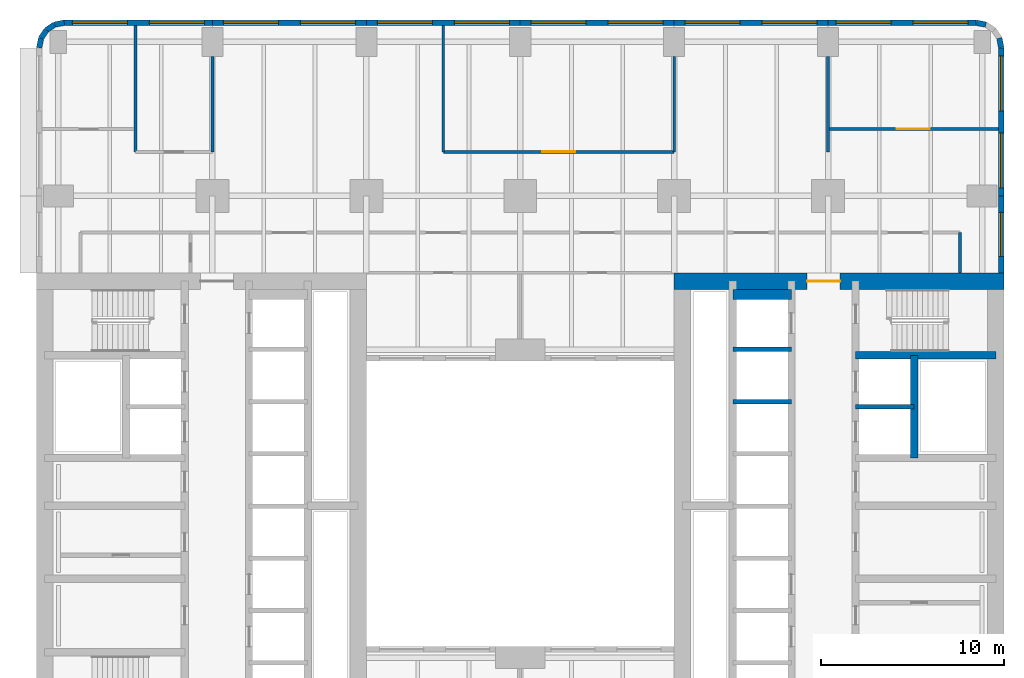
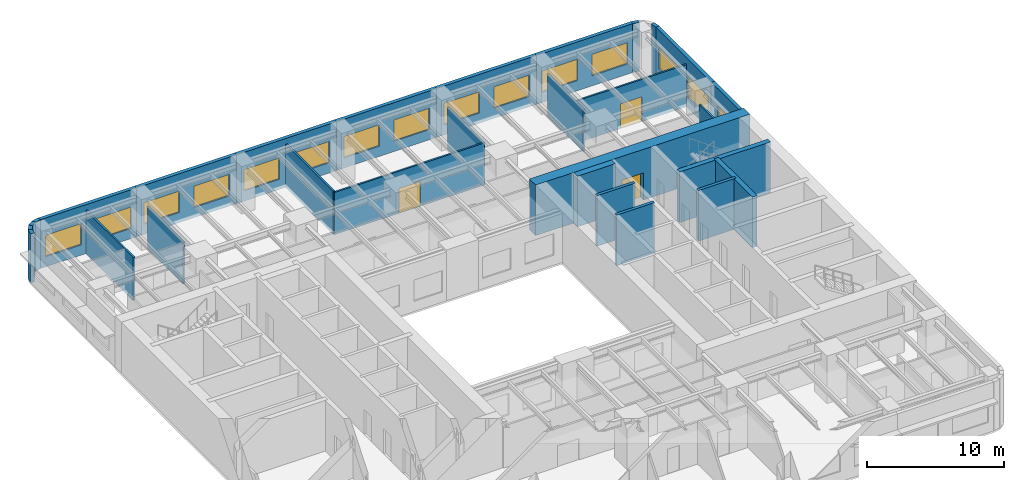
# One storey, part 7 of 14: 29 walls, 15 windows, 3 doors, 18 openings.
"""IFC4 building model written with IfcOpenShell, lengths in metres."""

from ifc_helpers import new_model, si_unit, direction, frame, frame_2d, origin, place, context, subcontext, project, spatial, rectangle, extrude, material, layer, layer_set, type_object, element, fill, save


model = new_model("IFC4")

# Units and contexts
model_context = context("Model", 3, precision=1e-05, world=origin(), true_north=direction((0.0, 1.0)))
body_context = subcontext(model_context, "Body", "Model", "MODEL_VIEW")
ifc_project = project(units=[si_unit("LENGTHUNIT", "METRE"), si_unit("AREAUNIT", "SQUARE_METRE"), si_unit("VOLUMEUNIT", "CUBIC_METRE"), si_unit("PLANEANGLEUNIT", "RADIAN"), si_unit("MASSUNIT", "GRAM", prefix="KILO")], contexts=[model_context])

# Site, building, storey
site_placement = place(None, origin())
site = spatial("IfcSite", under=ifc_project, at=site_placement, CompositionType="ELEMENT")
building_placement = place(site_placement, origin())
building = spatial("IfcBuilding", under=site, at=building_placement, Name="Claustro Exchange Tower", CompositionType="ELEMENT")
storey_placement = place(building_placement, frame((0.0, 0.0, 59.39990234375)))
storey = spatial("IfcBuildingStorey", under=building, at=storey_placement, Name="L13", CompositionType="ELEMENT", Elevation=59.39990234375)

# Walls
ifc_material_1 = material(Name="Gypsum board on steel studs", Category="steel")
ifc_layer_1 = layer(ifc_material_1, 0.14990234375)
ifc_layer_set_1 = layer_set([ifc_layer_1], Name="Gypsum board on steel studs")
wall_type_1 = type_object("IfcWallType", Name="P1 150 plasterboard partition", PredefinedType="PARTITIONING", material=ifc_layer_set_1)
wall_1_placement = place(storey_placement, frame((4.199951171875, 44.39990234375, 0.0), z_axis=(0.0, 0.0, 1.0), x_axis=(0.0, 1.0, 0.0)))
element("IfcWall", 1, at=wall_1_placement, inside=storey, type_object=wall_type_1, Name="Partition P1 L13", PredefinedType="PARTITIONING", context=body_context, shape_type="SweptSolid", body=[
    extrude(rectangle(XDim=6.902099609375, YDim=0.14990234375, at=frame_2d((3.451171875, 0.0))), origin(), (0.0, 0.0, 1.0), 3.840087890625),
])
wall_2_placement = place(storey_placement, frame((8.39990234375, 44.39990234375, 0.0), z_axis=(0.0, 0.0, 1.0), x_axis=(0.0, 1.0, 0.0)))
element("IfcWall", 2, at=wall_2_placement, inside=storey, type_object=wall_type_1, Name="Partition P1 L13", PredefinedType="PARTITIONING", context=body_context, shape_type="SweptSolid", body=[
    extrude(rectangle(XDim=5.201171875, YDim=0.14990234375, at=frame_2d((2.6005859375, 0.0))), origin(), (0.0, 0.0, 1.0), 3.739990234375),
])

# Wall, opening, door
wall_3_placement = place(storey_placement, frame((21.0, 44.39990234375, 0.0), z_axis=(0.0, 0.0, 1.0), x_axis=(1.0, 0.0, 0.0)))
wall_3 = element("IfcWall", 3, at=wall_3_placement, inside=storey, type_object=wall_type_1, Name="Partition P1 L13", PredefinedType="PARTITIONING", context=body_context, shape_type="SweptSolid", body=[
    extrude(rectangle(XDim=12.60009765625, YDim=0.14990234375, at=frame_2d((6.300048828125, 0.0))), origin(), (0.0, 0.0, 1.0), 3.739990234375),
])
opening_1_placement = place(wall_3_placement, frame((5.39990234375, 0.0, 0.0)))
opening_1 = element("IfcOpeningElement", 4, at=opening_1_placement, cuts=wall_3, Name="Opening D2", PredefinedType="OPENING", context=body_context, shape_type="SweptSolid", body=[
    extrude(rectangle(XDim=1.800048828125, YDim=2.199951171875, at=frame_2d((0.89990234375, 1.10009765625))), frame((0.0, 0.0849609375, 0.0), z_axis=(0.0, -1.0, 0.0), x_axis=(1.0, 0.0, 0.0)), (0.0, 0.0, 1.0), 0.169921875),
])
ifc_material_2 = material(Name="Timber door, oak veneer", Category="wood")
door_type_1 = type_object("IfcDoorType", Name="D2 1800 x 2200 double door", OperationType="DOUBLE_DOOR_SINGLE_SWING", PredefinedType="DOOR", material=ifc_material_2)
door_1_placement = place(opening_1_placement, frame((1.800048828125, 0.0, 0.0), z_axis=(0.0, 0.0, 1.0), x_axis=(-1.0, 0.0, 0.0)))
door_1 = element("IfcDoor", 5, at=door_1_placement, inside=storey, type_object=door_type_1, Name="Double door D2 L13", OperationType="DOUBLE_DOOR_SINGLE_SWING", OverallHeight=2.199951171875, OverallWidth=1.800048828125, PredefinedType="DOOR", context=body_context, shape_type="SweptSolid", body=[
    extrude(rectangle(XDim=1.800048828125, YDim=2.199951171875, at=frame_2d((0.89990234375, 1.10009765625))), frame((0.0, 0.02490234375, 0.0), z_axis=(0.0, -1.0, 0.0), x_axis=(1.0, 0.0, 0.0)), (0.0, 0.0, 1.0), 0.050048828125),
])
fill(opening_1, door_1)

# Walls
wall_4_placement = place(storey_placement, frame((21.0, 44.39990234375, 0.0), z_axis=(0.0, 0.0, 1.0), x_axis=(0.0, 1.0, 0.0)))
element("IfcWall", 6, at=wall_4_placement, inside=storey, type_object=wall_type_1, Name="Partition P1 L13", PredefinedType="PARTITIONING", context=body_context, shape_type="SweptSolid", body=[
    extrude(rectangle(XDim=6.902099609375, YDim=0.14990234375, at=frame_2d((3.451171875, 0.0))), origin(), (0.0, 0.0, 1.0), 3.840087890625),
])
wall_5_placement = place(storey_placement, frame((33.60009765625, 44.39990234375, 0.0), z_axis=(0.0, 0.0, 1.0), x_axis=(0.0, 1.0, 0.0)))
element("IfcWall", 7, at=wall_5_placement, inside=storey, type_object=wall_type_1, Name="Partition P1 L13", PredefinedType="PARTITIONING", context=body_context, shape_type="SweptSolid", body=[
    extrude(rectangle(XDim=5.201171875, YDim=0.14990234375, at=frame_2d((2.6005859375, 0.0))), origin(), (0.0, 0.0, 1.0), 3.739990234375),
])

# Wall, opening, door
wall_6_placement = place(storey_placement, frame((42.073974609375, 45.64990234375, 0.0), z_axis=(0.0, 0.0, 1.0), x_axis=(1.0, 0.0, 0.0)))
wall_6 = element("IfcWall", 8, at=wall_6_placement, inside=storey, type_object=wall_type_1, Name="Partition P1 L13", PredefinedType="PARTITIONING", context=body_context, shape_type="SweptSolid", body=[
    extrude(rectangle(XDim=9.22802734375, YDim=0.14990234375, at=frame_2d((4.614013671875, 0.0))), origin(), (0.0, 0.0, 1.0), 3.739990234375),
])
opening_2_placement = place(wall_6_placement, frame((3.676025390625, 0.0, 0.0)))
opening_2 = element("IfcOpeningElement", 9, at=opening_2_placement, cuts=wall_6, Name="Opening D2", PredefinedType="OPENING", context=body_context, shape_type="SweptSolid", body=[
    extrude(rectangle(XDim=1.800048828125, YDim=2.199951171875, at=frame_2d((0.89990234375, 1.10009765625))), frame((0.0, 0.0849609375, 0.0), z_axis=(0.0, -1.0, 0.0), x_axis=(1.0, 0.0, 0.0)), (0.0, 0.0, 1.0), 0.169921875),
])
door_2_placement = place(opening_2_placement, origin())
door_2 = element("IfcDoor", 10, at=door_2_placement, inside=storey, type_object=door_type_1, Name="Double door D2 L13", OperationType="DOUBLE_DOOR_SINGLE_SWING", OverallHeight=2.199951171875, OverallWidth=1.800048828125, PredefinedType="DOOR", context=body_context, shape_type="SweptSolid", body=[
    extrude(rectangle(XDim=1.800048828125, YDim=2.199951171875, at=frame_2d((0.89990234375, 1.10009765625))), frame((0.0, 0.02490234375, 0.0), z_axis=(0.0, -1.0, 0.0), x_axis=(1.0, 0.0, 0.0)), (0.0, 0.0, 1.0), 0.050048828125),
])
fill(opening_2, door_2)

# Walls
wall_7_placement = place(storey_placement, frame((42.0, 44.39990234375, 0.0), z_axis=(0.0, 0.0, 1.0), x_axis=(0.0, 1.0, 0.0)))
element("IfcWall", 11, at=wall_7_placement, inside=storey, type_object=wall_type_1, Name="Partition P1 L13", PredefinedType="PARTITIONING", context=body_context, shape_type="SweptSolid", body=[
    extrude(rectangle(XDim=5.201171875, YDim=0.14990234375, at=frame_2d((2.6005859375, 0.0))), origin(), (0.0, 0.0, 1.0), 3.739990234375),
])
wall_8_placement = place(storey_placement, frame((49.199951171875, 37.800048828125, 0.0), z_axis=(0.0, 0.0, 1.0), x_axis=(0.0, 1.0, 0.0)))
element("IfcWall", 12, at=wall_8_placement, inside=storey, type_object=wall_type_1, Name="Partition P1 L13", PredefinedType="PARTITIONING", context=body_context, shape_type="SweptSolid", body=[
    extrude(rectangle(XDim=2.199951171875, YDim=0.14990234375, at=frame_2d((1.10009765625, 0.0))), origin(), (0.0, 0.0, 1.0), 4.340087890625),
])
ifc_material_3 = material(Name="Concrete HA-40 (C40/50), precast, white cement, acid-etched", Category="concrete")
ifc_layer_2 = layer(ifc_material_3, 0.300048828125)
ifc_layer_set_2 = layer_set([ifc_layer_2], Name="Concrete HA-40 (C40/50), precast, white cement, acid-etched")
wall_type_2 = type_object("IfcWallType", Name="PC1 300 precast concrete pier panel", PredefinedType="SOLIDWALL", material=ifc_layer_set_2)
wall_9_placement = place(storey_placement, frame((-1.050048828125, 50.085205078125, 0.0), z_axis=(0.0, 0.0, 1.0), x_axis=(0.195073962632, 0.980788534345, 0.0)))
element("IfcWall", 13, at=wall_9_placement, inside=storey, type_object=wall_type_2, Name="Precast pier panel PC1 L13", PredefinedType="SOLIDWALL", context=body_context, shape_type="SweptSolid", body=[
    extrude(rectangle(XDim=0.540771484375, YDim=0.300048828125, at=frame_2d((0.2705078125, 0.0))), origin(), (0.0, 0.0, 1.0), 4.340087890625),
])
for number, where, z_axis, x_axis, name in (
    (14, (-0.944580078125, 50.615478515625, 0.0), (0.0, 0.0, 1.0), (0.555557463938, 0.831478144188, 0.0), "Precast pier panel PC1 L13"),
    (15, (-0.652587890625, 51.052490234375, 0.0), (0.0, 0.0, 1.0), (0.831478144188, 0.555557463938, 0.0), "Precast pier panel PC1 L13"),
):
    element("IfcWall", number, at=place(storey_placement, frame(where, z_axis=z_axis, x_axis=x_axis)), inside=storey, type_object=wall_type_2, Name=name, PredefinedType="SOLIDWALL", context=body_context, shape_type="SweptSolid", body=[
        extrude(rectangle(XDim=0.525634765625, YDim=0.300048828125, at=frame_2d((0.2626953125, 0.0))), origin(), (0.0, 0.0, 1.0), 4.340087890625),
    ])
wall_10_placement = place(storey_placement, frame((-0.215576171875, 51.344482421875, 0.0), z_axis=(0.0, 0.0, 1.0), x_axis=(0.980788534345, 0.195073962632, 0.0)))
element("IfcWall", 16, at=wall_10_placement, inside=storey, type_object=wall_type_2, Name="Precast pier panel PC1 L13", PredefinedType="SOLIDWALL", context=body_context, shape_type="SweptSolid", body=[
    extrude(rectangle(XDim=0.540771484375, YDim=0.300048828125, at=frame_2d((0.2705078125, 0.0))), origin(), (0.0, 0.0, 1.0), 4.340087890625),
])

# Wall, openings, windows
wall_11_placement = place(storey_placement, frame((0.314697265625, 51.449951171875, 0.0), z_axis=(0.0, 0.0, 1.0), x_axis=(1.0, 0.0, 0.0)))
wall_11 = element("IfcWall", 17, at=wall_11_placement, inside=storey, type_object=wall_type_2, Name="Precast pier panel PC1 L13", PredefinedType="SOLIDWALL", context=body_context, shape_type="SweptSolid", body=[
    extrude(rectangle(XDim=8.085205078125, YDim=0.300048828125, at=frame_2d((4.04248046875, 0.0))), origin(), (0.0, 0.0, 1.0), 4.340087890625),
])
opening_3_placement = place(wall_11_placement, frame((0.442626953125, 0.0, 0.89990234375)))
opening_3 = element("IfcOpeningElement", 18, at=opening_3_placement, cuts=wall_11, Name="Opening W1", PredefinedType="OPENING", context=body_context, shape_type="SweptSolid", body=[
    extrude(rectangle(XDim=3.0, YDim=1.89990234375, at=frame_2d((1.5, 0.949951171875))), frame((0.0, 0.159912109375, 0.0), z_axis=(0.0, -1.0, 0.0), x_axis=(1.0, 0.0, 0.0)), (0.0, 0.0, 1.0), 0.320068359375),
])
opening_4_placement = place(wall_11_placement, frame((4.642578125, 0.0, 0.89990234375)))
opening_4 = element("IfcOpeningElement", 19, at=opening_4_placement, cuts=wall_11, Name="Opening W1", PredefinedType="OPENING", context=body_context, shape_type="SweptSolid", body=[
    extrude(rectangle(XDim=3.0, YDim=1.89990234375, at=frame_2d((1.5, 0.949951171875))), frame((0.0, 0.159912109375, 0.0), z_axis=(0.0, -1.0, 0.0), x_axis=(1.0, 0.0, 0.0)), (0.0, 0.0, 1.0), 0.320068359375),
])
ifc_material_4 = material(Name="Aluminium frame, clear double glazing", Category="aluminium")
window_type_1 = type_object("IfcWindowType", Name="W1 3000 x 1900 window", PartitioningType="SINGLE_PANEL", PredefinedType="WINDOW", material=ifc_material_4)
window_1_placement = place(opening_3_placement, origin())
window_1 = element("IfcWindow", 20, at=window_1_placement, inside=storey, type_object=window_type_1, Name="Window W1 L13", OverallHeight=1.89990234375, OverallWidth=3.0, PartitioningType="SINGLE_PANEL", PredefinedType="WINDOW", context=body_context, shape_type="SweptSolid", body=[
    extrude(rectangle(XDim=3.0, YDim=1.89990234375, at=frame_2d((1.5, 0.949951171875))), frame((0.0, 0.030029296875, 0.0), z_axis=(0.0, -1.0, 0.0), x_axis=(1.0, 0.0, 0.0)), (0.0, 0.0, 1.0), 0.06005859375),
])
fill(opening_3, window_1)
window_2_placement = place(opening_4_placement, origin())
window_2 = element("IfcWindow", 21, at=window_2_placement, inside=storey, type_object=window_type_1, Name="Window W1 L13", OverallHeight=1.89990234375, OverallWidth=3.0, PartitioningType="SINGLE_PANEL", PredefinedType="WINDOW", context=body_context, shape_type="SweptSolid", body=[
    extrude(rectangle(XDim=3.0, YDim=1.89990234375, at=frame_2d((1.5, 0.949951171875))), frame((0.0, 0.030029296875, 0.0), z_axis=(0.0, -1.0, 0.0), x_axis=(1.0, 0.0, 0.0)), (0.0, 0.0, 1.0), 0.06005859375),
])
fill(opening_4, window_2)

wall_12_placement = place(storey_placement, frame((8.39990234375, 51.449951171875, 0.0), z_axis=(0.0, 0.0, 1.0), x_axis=(1.0, 0.0, 0.0)))
wall_12 = element("IfcWall", 22, at=wall_12_placement, inside=storey, type_object=wall_type_2, Name="Precast pier panel PC1 L13", PredefinedType="SOLIDWALL", context=body_context, shape_type="SweptSolid", body=[
    extrude(rectangle(XDim=8.400146484375, YDim=0.300048828125, at=frame_2d((4.2001953125, 0.0))), origin(), (0.0, 0.0, 1.0), 4.340087890625),
])
opening_5_placement = place(wall_12_placement, frame((0.60009765625, 0.0, 0.89990234375)))
opening_5 = element("IfcOpeningElement", 23, at=opening_5_placement, cuts=wall_12, Name="Opening W1", PredefinedType="OPENING", context=body_context, shape_type="SweptSolid", body=[
    extrude(rectangle(XDim=3.0, YDim=1.89990234375, at=frame_2d((1.5, 0.949951171875))), frame((0.0, 0.159912109375, 0.0), z_axis=(0.0, -1.0, 0.0), x_axis=(1.0, 0.0, 0.0)), (0.0, 0.0, 1.0), 0.320068359375),
])
opening_6_placement = place(wall_12_placement, frame((4.800048828125, 0.0, 0.89990234375)))
opening_6 = element("IfcOpeningElement", 24, at=opening_6_placement, cuts=wall_12, Name="Opening W1", PredefinedType="OPENING", context=body_context, shape_type="SweptSolid", body=[
    extrude(rectangle(XDim=3.0, YDim=1.89990234375, at=frame_2d((1.5, 0.949951171875))), frame((0.0, 0.159912109375, 0.0), z_axis=(0.0, -1.0, 0.0), x_axis=(1.0, 0.0, 0.0)), (0.0, 0.0, 1.0), 0.320068359375),
])
window_3_placement = place(opening_5_placement, origin())
window_3 = element("IfcWindow", 25, at=window_3_placement, inside=storey, type_object=window_type_1, Name="Window W1 L13", OverallHeight=1.89990234375, OverallWidth=3.0, PartitioningType="SINGLE_PANEL", PredefinedType="WINDOW", context=body_context, shape_type="SweptSolid", body=[
    extrude(rectangle(XDim=3.0, YDim=1.89990234375, at=frame_2d((1.5, 0.949951171875))), frame((0.0, 0.030029296875, 0.0), z_axis=(0.0, -1.0, 0.0), x_axis=(1.0, 0.0, 0.0)), (0.0, 0.0, 1.0), 0.06005859375),
])
fill(opening_5, window_3)
window_4_placement = place(opening_6_placement, origin())
window_4 = element("IfcWindow", 26, at=window_4_placement, inside=storey, type_object=window_type_1, Name="Window W1 L13", OverallHeight=1.89990234375, OverallWidth=3.0, PartitioningType="SINGLE_PANEL", PredefinedType="WINDOW", context=body_context, shape_type="SweptSolid", body=[
    extrude(rectangle(XDim=3.0, YDim=1.89990234375, at=frame_2d((1.5, 0.949951171875))), frame((0.0, 0.030029296875, 0.0), z_axis=(0.0, -1.0, 0.0), x_axis=(1.0, 0.0, 0.0)), (0.0, 0.0, 1.0), 0.06005859375),
])
fill(opening_6, window_4)

wall_13_placement = place(storey_placement, frame((16.800048828125, 51.449951171875, 0.0), z_axis=(0.0, 0.0, 1.0), x_axis=(1.0, 0.0, 0.0)))
wall_13 = element("IfcWall", 27, at=wall_13_placement, inside=storey, type_object=wall_type_2, Name="Precast pier panel PC1 L13", PredefinedType="SOLIDWALL", context=body_context, shape_type="SweptSolid", body=[
    extrude(rectangle(XDim=8.39990234375, YDim=0.300048828125, at=frame_2d((4.199951171875, 0.0))), origin(), (0.0, 0.0, 1.0), 4.340087890625),
])
opening_7_placement = place(wall_13_placement, frame((0.60009765625, 0.0, 0.89990234375)))
opening_7 = element("IfcOpeningElement", 28, at=opening_7_placement, cuts=wall_13, Name="Opening W1", PredefinedType="OPENING", context=body_context, shape_type="SweptSolid", body=[
    extrude(rectangle(XDim=3.0, YDim=1.89990234375, at=frame_2d((1.5, 0.949951171875))), frame((0.0, 0.159912109375, 0.0), z_axis=(0.0, -1.0, 0.0), x_axis=(1.0, 0.0, 0.0)), (0.0, 0.0, 1.0), 0.320068359375),
])
opening_8_placement = place(wall_13_placement, frame((4.800048828125, 0.0, 0.89990234375)))
opening_8 = element("IfcOpeningElement", 29, at=opening_8_placement, cuts=wall_13, Name="Opening W1", PredefinedType="OPENING", context=body_context, shape_type="SweptSolid", body=[
    extrude(rectangle(XDim=3.0, YDim=1.89990234375, at=frame_2d((1.5, 0.949951171875))), frame((0.0, 0.159912109375, 0.0), z_axis=(0.0, -1.0, 0.0), x_axis=(1.0, 0.0, 0.0)), (0.0, 0.0, 1.0), 0.320068359375),
])
window_5_placement = place(opening_7_placement, origin())
window_5 = element("IfcWindow", 30, at=window_5_placement, inside=storey, type_object=window_type_1, Name="Window W1 L13", OverallHeight=1.89990234375, OverallWidth=3.0, PartitioningType="SINGLE_PANEL", PredefinedType="WINDOW", context=body_context, shape_type="SweptSolid", body=[
    extrude(rectangle(XDim=3.0, YDim=1.89990234375, at=frame_2d((1.5, 0.949951171875))), frame((0.0, 0.030029296875, 0.0), z_axis=(0.0, -1.0, 0.0), x_axis=(1.0, 0.0, 0.0)), (0.0, 0.0, 1.0), 0.06005859375),
])
fill(opening_7, window_5)
window_6_placement = place(opening_8_placement, origin())
window_6 = element("IfcWindow", 31, at=window_6_placement, inside=storey, type_object=window_type_1, Name="Window W1 L13", OverallHeight=1.89990234375, OverallWidth=3.0, PartitioningType="SINGLE_PANEL", PredefinedType="WINDOW", context=body_context, shape_type="SweptSolid", body=[
    extrude(rectangle(XDim=3.0, YDim=1.89990234375, at=frame_2d((1.5, 0.949951171875))), frame((0.0, 0.030029296875, 0.0), z_axis=(0.0, -1.0, 0.0), x_axis=(1.0, 0.0, 0.0)), (0.0, 0.0, 1.0), 0.06005859375),
])
fill(opening_8, window_6)

wall_14_placement = place(storey_placement, frame((25.199951171875, 51.449951171875, 0.0), z_axis=(0.0, 0.0, 1.0), x_axis=(1.0, 0.0, 0.0)))
wall_14 = element("IfcWall", 32, at=wall_14_placement, inside=storey, type_object=wall_type_2, Name="Precast pier panel PC1 L13", PredefinedType="SOLIDWALL", context=body_context, shape_type="SweptSolid", body=[
    extrude(rectangle(XDim=8.400146484375, YDim=0.300048828125, at=frame_2d((4.2001953125, 0.0))), origin(), (0.0, 0.0, 1.0), 4.340087890625),
])
opening_9_placement = place(wall_14_placement, frame((0.60009765625, 0.0, 0.89990234375)))
opening_9 = element("IfcOpeningElement", 33, at=opening_9_placement, cuts=wall_14, Name="Opening W1", PredefinedType="OPENING", context=body_context, shape_type="SweptSolid", body=[
    extrude(rectangle(XDim=3.0, YDim=1.89990234375, at=frame_2d((1.5, 0.949951171875))), frame((0.0, 0.159912109375, 0.0), z_axis=(0.0, -1.0, 0.0), x_axis=(1.0, 0.0, 0.0)), (0.0, 0.0, 1.0), 0.320068359375),
])
opening_10_placement = place(wall_14_placement, frame((4.800048828125, 0.0, 0.89990234375)))
opening_10 = element("IfcOpeningElement", 34, at=opening_10_placement, cuts=wall_14, Name="Opening W1", PredefinedType="OPENING", context=body_context, shape_type="SweptSolid", body=[
    extrude(rectangle(XDim=3.0, YDim=1.89990234375, at=frame_2d((1.5, 0.949951171875))), frame((0.0, 0.159912109375, 0.0), z_axis=(0.0, -1.0, 0.0), x_axis=(1.0, 0.0, 0.0)), (0.0, 0.0, 1.0), 0.320068359375),
])
window_7_placement = place(opening_9_placement, origin())
window_7 = element("IfcWindow", 35, at=window_7_placement, inside=storey, type_object=window_type_1, Name="Window W1 L13", OverallHeight=1.89990234375, OverallWidth=3.0, PartitioningType="SINGLE_PANEL", PredefinedType="WINDOW", context=body_context, shape_type="SweptSolid", body=[
    extrude(rectangle(XDim=3.0, YDim=1.89990234375, at=frame_2d((1.5, 0.949951171875))), frame((0.0, 0.030029296875, 0.0), z_axis=(0.0, -1.0, 0.0), x_axis=(1.0, 0.0, 0.0)), (0.0, 0.0, 1.0), 0.06005859375),
])
fill(opening_9, window_7)
window_8_placement = place(opening_10_placement, origin())
window_8 = element("IfcWindow", 36, at=window_8_placement, inside=storey, type_object=window_type_1, Name="Window W1 L13", OverallHeight=1.89990234375, OverallWidth=3.0, PartitioningType="SINGLE_PANEL", PredefinedType="WINDOW", context=body_context, shape_type="SweptSolid", body=[
    extrude(rectangle(XDim=3.0, YDim=1.89990234375, at=frame_2d((1.5, 0.949951171875))), frame((0.0, 0.030029296875, 0.0), z_axis=(0.0, -1.0, 0.0), x_axis=(1.0, 0.0, 0.0)), (0.0, 0.0, 1.0), 0.06005859375),
])
fill(opening_10, window_8)

wall_15_placement = place(storey_placement, frame((33.60009765625, 51.449951171875, 0.0), z_axis=(0.0, 0.0, 1.0), x_axis=(1.0, 0.0, 0.0)))
wall_15 = element("IfcWall", 37, at=wall_15_placement, inside=storey, type_object=wall_type_2, Name="Precast pier panel PC1 L13", PredefinedType="SOLIDWALL", context=body_context, shape_type="SweptSolid", body=[
    extrude(rectangle(XDim=8.39990234375, YDim=0.300048828125, at=frame_2d((4.199951171875, 0.0))), origin(), (0.0, 0.0, 1.0), 4.340087890625),
])
opening_11_placement = place(wall_15_placement, frame((0.60009765625, 0.0, 0.89990234375)))
opening_11 = element("IfcOpeningElement", 38, at=opening_11_placement, cuts=wall_15, Name="Opening W1", PredefinedType="OPENING", context=body_context, shape_type="SweptSolid", body=[
    extrude(rectangle(XDim=3.0, YDim=1.89990234375, at=frame_2d((1.5, 0.949951171875))), frame((0.0, 0.159912109375, 0.0), z_axis=(0.0, -1.0, 0.0), x_axis=(1.0, 0.0, 0.0)), (0.0, 0.0, 1.0), 0.320068359375),
])
opening_12_placement = place(wall_15_placement, frame((4.800048828125, 0.0, 0.89990234375)))
opening_12 = element("IfcOpeningElement", 39, at=opening_12_placement, cuts=wall_15, Name="Opening W1", PredefinedType="OPENING", context=body_context, shape_type="SweptSolid", body=[
    extrude(rectangle(XDim=3.0, YDim=1.89990234375, at=frame_2d((1.5, 0.949951171875))), frame((0.0, 0.159912109375, 0.0), z_axis=(0.0, -1.0, 0.0), x_axis=(1.0, 0.0, 0.0)), (0.0, 0.0, 1.0), 0.320068359375),
])
window_9_placement = place(opening_11_placement, origin())
window_9 = element("IfcWindow", 40, at=window_9_placement, inside=storey, type_object=window_type_1, Name="Window W1 L13", OverallHeight=1.89990234375, OverallWidth=3.0, PartitioningType="SINGLE_PANEL", PredefinedType="WINDOW", context=body_context, shape_type="SweptSolid", body=[
    extrude(rectangle(XDim=3.0, YDim=1.89990234375, at=frame_2d((1.5, 0.949951171875))), frame((0.0, 0.030029296875, 0.0), z_axis=(0.0, -1.0, 0.0), x_axis=(1.0, 0.0, 0.0)), (0.0, 0.0, 1.0), 0.06005859375),
])
fill(opening_11, window_9)
window_10_placement = place(opening_12_placement, origin())
window_10 = element("IfcWindow", 41, at=window_10_placement, inside=storey, type_object=window_type_1, Name="Window W1 L13", OverallHeight=1.89990234375, OverallWidth=3.0, PartitioningType="SINGLE_PANEL", PredefinedType="WINDOW", context=body_context, shape_type="SweptSolid", body=[
    extrude(rectangle(XDim=3.0, YDim=1.89990234375, at=frame_2d((1.5, 0.949951171875))), frame((0.0, 0.030029296875, 0.0), z_axis=(0.0, -1.0, 0.0), x_axis=(1.0, 0.0, 0.0)), (0.0, 0.0, 1.0), 0.06005859375),
])
fill(opening_12, window_10)

wall_16_placement = place(storey_placement, frame((42.0, 51.449951171875, 0.0), z_axis=(0.0, 0.0, 1.0), x_axis=(1.0, 0.0, 0.0)))
wall_16 = element("IfcWall", 42, at=wall_16_placement, inside=storey, type_object=wall_type_2, Name="Precast pier panel PC1 L13", PredefinedType="SOLIDWALL", context=body_context, shape_type="SweptSolid", body=[
    extrude(rectangle(XDim=8.085205078125, YDim=0.300048828125, at=frame_2d((4.04248046875, 0.0))), origin(), (0.0, 0.0, 1.0), 4.340087890625),
])
opening_13_placement = place(wall_16_placement, frame((0.442626953125, 0.0, 0.89990234375)))
opening_13 = element("IfcOpeningElement", 43, at=opening_13_placement, cuts=wall_16, Name="Opening W1", PredefinedType="OPENING", context=body_context, shape_type="SweptSolid", body=[
    extrude(rectangle(XDim=3.0, YDim=1.89990234375, at=frame_2d((1.5, 0.949951171875))), frame((0.0, 0.159912109375, 0.0), z_axis=(0.0, -1.0, 0.0), x_axis=(1.0, 0.0, 0.0)), (0.0, 0.0, 1.0), 0.320068359375),
])
opening_14_placement = place(wall_16_placement, frame((4.642578125, 0.0, 0.89990234375)))
opening_14 = element("IfcOpeningElement", 44, at=opening_14_placement, cuts=wall_16, Name="Opening W1", PredefinedType="OPENING", context=body_context, shape_type="SweptSolid", body=[
    extrude(rectangle(XDim=3.0, YDim=1.89990234375, at=frame_2d((1.5, 0.949951171875))), frame((0.0, 0.159912109375, 0.0), z_axis=(0.0, -1.0, 0.0), x_axis=(1.0, 0.0, 0.0)), (0.0, 0.0, 1.0), 0.320068359375),
])
window_11_placement = place(opening_13_placement, origin())
window_11 = element("IfcWindow", 45, at=window_11_placement, inside=storey, type_object=window_type_1, Name="Window W1 L13", OverallHeight=1.89990234375, OverallWidth=3.0, PartitioningType="SINGLE_PANEL", PredefinedType="WINDOW", context=body_context, shape_type="SweptSolid", body=[
    extrude(rectangle(XDim=3.0, YDim=1.89990234375, at=frame_2d((1.5, 0.949951171875))), frame((0.0, 0.030029296875, 0.0), z_axis=(0.0, -1.0, 0.0), x_axis=(1.0, 0.0, 0.0)), (0.0, 0.0, 1.0), 0.06005859375),
])
fill(opening_13, window_11)
window_12_placement = place(opening_14_placement, origin())
window_12 = element("IfcWindow", 46, at=window_12_placement, inside=storey, type_object=window_type_1, Name="Window W1 L13", OverallHeight=1.89990234375, OverallWidth=3.0, PartitioningType="SINGLE_PANEL", PredefinedType="WINDOW", context=body_context, shape_type="SweptSolid", body=[
    extrude(rectangle(XDim=3.0, YDim=1.89990234375, at=frame_2d((1.5, 0.949951171875))), frame((0.0, 0.030029296875, 0.0), z_axis=(0.0, -1.0, 0.0), x_axis=(1.0, 0.0, 0.0)), (0.0, 0.0, 1.0), 0.06005859375),
])
fill(opening_14, window_12)

# Walls
for number, where, z_axis, x_axis, name in (
    (47, (50.085205078125, 51.449951171875, 0.0), (0.0, 0.0, 1.0), (0.980788534345, -0.195073962632, 0.0), "Precast pier panel PC1 L13"),
    (48, (51.344482421875, 50.615478515625, 0.0), (0.0, 0.0, 1.0), (0.195073962632, -0.980788534345, 0.0), "Precast pier panel PC1 L13"),
):
    element("IfcWall", number, at=place(storey_placement, frame(where, z_axis=z_axis, x_axis=x_axis)), inside=storey, type_object=wall_type_2, Name=name, PredefinedType="SOLIDWALL", context=body_context, shape_type="SweptSolid", body=[
        extrude(rectangle(XDim=0.540771484375, YDim=0.300048828125, at=frame_2d((0.2705078125, 0.0))), origin(), (0.0, 0.0, 1.0), 4.340087890625),
    ])

# Wall, openings, windows
wall_17_placement = place(storey_placement, frame((51.449951171875, 50.085205078125, 0.0), z_axis=(0.0, 0.0, 1.0), x_axis=(0.0, -1.0, 0.0)))
wall_17 = element("IfcWall", 49, at=wall_17_placement, inside=storey, type_object=wall_type_2, Name="Precast pier panel PC1 L13", PredefinedType="SOLIDWALL", context=body_context, shape_type="SweptSolid", body=[
    extrude(rectangle(XDim=8.085205078125, YDim=0.300048828125, at=frame_2d((4.04248046875, 0.0))), origin(), (0.0, 0.0, 1.0), 4.340087890625),
])
opening_15_placement = place(wall_17_placement, frame((0.442626953125, 0.0, 0.89990234375)))
opening_15 = element("IfcOpeningElement", 50, at=opening_15_placement, cuts=wall_17, Name="Opening W1", PredefinedType="OPENING", context=body_context, shape_type="SweptSolid", body=[
    extrude(rectangle(XDim=3.0, YDim=1.89990234375, at=frame_2d((1.5, 0.949951171875))), frame((0.0, 0.159912109375, 0.0), z_axis=(0.0, -1.0, 0.0), x_axis=(1.0, 0.0, 0.0)), (0.0, 0.0, 1.0), 0.320068359375),
])
opening_16_placement = place(wall_17_placement, frame((4.642578125, 0.0, 0.89990234375)))
opening_16 = element("IfcOpeningElement", 51, at=opening_16_placement, cuts=wall_17, Name="Opening W1", PredefinedType="OPENING", context=body_context, shape_type="SweptSolid", body=[
    extrude(rectangle(XDim=3.0, YDim=1.89990234375, at=frame_2d((1.5, 0.949951171875))), frame((0.0, 0.159912109375, 0.0), z_axis=(0.0, -1.0, 0.0), x_axis=(1.0, 0.0, 0.0)), (0.0, 0.0, 1.0), 0.320068359375),
])
window_13_placement = place(opening_15_placement, origin())
window_13 = element("IfcWindow", 52, at=window_13_placement, inside=storey, type_object=window_type_1, Name="Window W1 L13", OverallHeight=1.89990234375, OverallWidth=3.0, PartitioningType="SINGLE_PANEL", PredefinedType="WINDOW", context=body_context, shape_type="SweptSolid", body=[
    extrude(rectangle(XDim=3.0, YDim=1.89990234375, at=frame_2d((1.5, 0.949951171875))), frame((0.0, 0.030029296875, 0.0), z_axis=(0.0, -1.0, 0.0), x_axis=(1.0, 0.0, 0.0)), (0.0, 0.0, 1.0), 0.06005859375),
])
fill(opening_15, window_13)
window_14_placement = place(opening_16_placement, origin())
window_14 = element("IfcWindow", 53, at=window_14_placement, inside=storey, type_object=window_type_1, Name="Window W1 L13", OverallHeight=1.89990234375, OverallWidth=3.0, PartitioningType="SINGLE_PANEL", PredefinedType="WINDOW", context=body_context, shape_type="SweptSolid", body=[
    extrude(rectangle(XDim=3.0, YDim=1.89990234375, at=frame_2d((1.5, 0.949951171875))), frame((0.0, 0.030029296875, 0.0), z_axis=(0.0, -1.0, 0.0), x_axis=(1.0, 0.0, 0.0)), (0.0, 0.0, 1.0), 0.06005859375),
])
fill(opening_16, window_14)

# Wall, opening, window
wall_18_placement = place(storey_placement, frame((51.449951171875, 42.0, 0.0), z_axis=(0.0, 0.0, 1.0), x_axis=(0.0, -1.0, 0.0)))
wall_18 = element("IfcWall", 54, at=wall_18_placement, inside=storey, type_object=wall_type_2, Name="Precast pier panel PC1 L13", PredefinedType="SOLIDWALL", context=body_context, shape_type="SweptSolid", body=[
    extrude(rectangle(XDim=4.199951171875, YDim=0.300048828125, at=frame_2d((2.10009765625, 0.0))), origin(), (0.0, 0.0, 1.0), 4.340087890625),
])
opening_17_placement = place(wall_18_placement, frame((0.89990234375, 0.0, 0.89990234375)))
opening_17 = element("IfcOpeningElement", 55, at=opening_17_placement, cuts=wall_18, Name="Opening W2", PredefinedType="OPENING", context=body_context, shape_type="SweptSolid", body=[
    extrude(rectangle(XDim=2.39990234375, YDim=1.89990234375, at=frame_2d((1.199951171875, 0.949951171875))), frame((0.0, 0.159912109375, 0.0), z_axis=(0.0, -1.0, 0.0), x_axis=(1.0, 0.0, 0.0)), (0.0, 0.0, 1.0), 0.320068359375),
])
ifc_material_5 = material(Name="Aluminium frame, clear double glazing", Category="aluminium")
window_type_2 = type_object("IfcWindowType", Name="W2 2400 x 1900 window", PartitioningType="SINGLE_PANEL", PredefinedType="WINDOW", material=ifc_material_5)
window_15_placement = place(opening_17_placement, origin())
window_15 = element("IfcWindow", 56, at=window_15_placement, inside=storey, type_object=window_type_2, Name="Window W2 L13", OverallHeight=1.89990234375, OverallWidth=2.39990234375, PartitioningType="SINGLE_PANEL", PredefinedType="WINDOW", context=body_context, shape_type="SweptSolid", body=[
    extrude(rectangle(XDim=2.39990234375, YDim=1.89990234375, at=frame_2d((1.199951171875, 0.949951171875))), frame((0.0, 0.030029296875, 0.0), z_axis=(0.0, -1.0, 0.0), x_axis=(1.0, 0.0, 0.0)), (0.0, 0.0, 1.0), 0.06005859375),
])
fill(opening_17, window_15)

# Wall, opening, door
ifc_material_6 = material(Name="Concrete HA-70 (C70/85)", Category="concrete")
ifc_layer_3 = layer(ifc_material_6, 0.89990234375)
ifc_layer_set_3 = layer_set([ifc_layer_3], Name="Concrete HA-70 (C70/85)")
wall_type_3 = type_object("IfcWallType", Name="SW1 900 core shear wall", PredefinedType="SHEAR", material=ifc_layer_set_3)
wall_19_placement = place(storey_placement, frame((33.60009765625, 37.35009765625, 0.0), z_axis=(0.0, 0.0, 1.0), x_axis=(1.0, 0.0, 0.0)))
wall_19 = element("IfcWall", 57, at=wall_19_placement, inside=storey, type_object=wall_type_3, Name="Core wall SW1 E core N face L13", PredefinedType="SHEAR", context=body_context, shape_type="SweptSolid", body=[
    extrude(rectangle(XDim=18.0, YDim=0.89990234375, at=frame_2d((9.0, 0.0))), origin(), (0.0, 0.0, 1.0), 4.5),
])
opening_18_placement = place(wall_19_placement, frame((7.25, 0.0, 0.0)))
opening_18 = element("IfcOpeningElement", 58, at=opening_18_placement, cuts=wall_19, Name="Opening D3", PredefinedType="OPENING", context=body_context, shape_type="SweptSolid", body=[
    extrude(rectangle(XDim=1.800048828125, YDim=2.39990234375, at=frame_2d((0.89990234375, 1.199951171875))), frame((0.0, 0.4599609375, 0.0), z_axis=(0.0, -1.0, 0.0), x_axis=(1.0, 0.0, 0.0)), (0.0, 0.0, 1.0), 0.919921875),
])
ifc_material_7 = material(Name="Steel fire door, painted", Category="steel")
door_type_2 = type_object("IfcDoorType", Name="D3 1800 x 2400 fire-rated lobby double door", OperationType="DOUBLE_DOOR_SINGLE_SWING", PredefinedType="DOOR", material=ifc_material_7)
door_3_placement = place(opening_18_placement, frame((1.800048828125, 0.0, 0.0), z_axis=(0.0, 0.0, 1.0), x_axis=(-1.0, 0.0, 0.0)))
door_3 = element("IfcDoor", 59, at=door_3_placement, inside=storey, type_object=door_type_2, Name="Lift lobby door D3 L13", OperationType="DOUBLE_DOOR_SINGLE_SWING", OverallHeight=2.39990234375, OverallWidth=1.800048828125, PredefinedType="DOOR", context=body_context, shape_type="SweptSolid", body=[
    extrude(rectangle(XDim=1.800048828125, YDim=2.39990234375, at=frame_2d((0.89990234375, 1.199951171875))), frame((0.0, 0.02490234375, 0.0), z_axis=(0.0, -1.0, 0.0), x_axis=(1.0, 0.0, 0.0)), (0.0, 0.0, 1.0), 0.050048828125),
])
fill(opening_18, door_3)

# Walls
ifc_material_8 = material(Name="Concrete HA-50 (C50/60)", Category="concrete")
ifc_layer_4 = layer(ifc_material_8, 0.39990234375)
ifc_layer_set_4 = layer_set([ifc_layer_4], Name="Concrete HA-50 (C50/60)")
wall_type_4 = type_object("IfcWallType", Name="SW4 400 internal core wall", PredefinedType="SHEAR", material=ifc_layer_set_4)
wall_20_placement = place(storey_placement, frame((51.14990234375, 33.300048828125, 0.0), z_axis=(0.0, 0.0, 1.0), x_axis=(-1.0, 0.0, 0.0)))
element("IfcWall", 60, at=wall_20_placement, inside=storey, type_object=wall_type_4, Name="Internal core wall SW4 E core L13", PredefinedType="SHEAR", context=body_context, shape_type="SweptSolid", body=[
    extrude(rectangle(XDim=7.64990234375, YDim=0.39990234375, at=frame_2d((3.824951171875, 0.0))), origin(), (0.0, 0.0, 1.0), 4.5),
])
wall_21_placement = place(storey_placement, frame((46.699951171875, 27.699951171875, 0.0), z_axis=(0.0, 0.0, 1.0), x_axis=(0.0, 1.0, 0.0)))
element("IfcWall", 61, at=wall_21_placement, inside=storey, type_object=wall_type_4, Name="Internal core wall SW4 E core L13", PredefinedType="SHEAR", context=body_context, shape_type="SweptSolid", body=[
    extrude(rectangle(XDim=5.60009765625, YDim=0.39990234375, at=frame_2d((2.800048828125, 0.0))), origin(), (0.0, 0.0, 1.0), 4.5),
])
ifc_material_9 = material(Name="Concrete HA-50 (C50/60)", Category="concrete")
ifc_layer_5 = layer(ifc_material_9, 0.25)
ifc_layer_set_5 = layer_set([ifc_layer_5], Name="Concrete HA-50 (C50/60)")
wall_type_5 = type_object("IfcWallType", Name="SW5 250 lift shaft divider wall", PredefinedType="SHEAR", material=ifc_layer_set_5)
for number, where, z_axis, x_axis, name in (
    (62, (46.699951171875, 30.5, 0.0), (0.0, 0.0, 1.0), (-1.0, 0.0, 0.0), "Lift shaft wall E core L13"),
    (63, (40.0, 30.77490234375, 0.0), (0.0, 0.0, 1.0), (-1.0, 0.0, 0.0), "Lift shaft wall E core L13"),
    (64, (40.0, 33.625, 0.0), (0.0, 0.0, 1.0), (-1.0, 0.0, 0.0), "Lift shaft wall E core L13"),
):
    element("IfcWall", number, at=place(storey_placement, frame(where, z_axis=z_axis, x_axis=x_axis)), inside=storey, type_object=wall_type_5, Name=name, PredefinedType="SHEAR", context=body_context, shape_type="SweptSolid", body=[
        extrude(rectangle(XDim=3.199951171875, YDim=0.25, at=frame_2d((1.60009765625, 0.0))), origin(), (0.0, 0.0, 1.0), 4.5),
    ])
ifc_material_10 = material(Name="Concrete HA-50 (C50/60)", Category="concrete")
ifc_layer_6 = layer(ifc_material_10, 0.550048828125)
ifc_layer_set_6 = layer_set([ifc_layer_6], Name="Concrete HA-50 (C50/60)")
wall_type_6 = type_object("IfcWallType", Name="SW6 550 lift shaft end wall", PredefinedType="SHEAR", material=ifc_layer_set_6)
wall_22_placement = place(storey_placement, frame((40.0, 36.625, 0.0), z_axis=(0.0, 0.0, 1.0), x_axis=(-1.0, 0.0, 0.0)))
element("IfcWall", 65, at=wall_22_placement, inside=storey, type_object=wall_type_6, Name="Lift shaft wall E core L13", PredefinedType="SHEAR", context=body_context, shape_type="SweptSolid", body=[
    extrude(rectangle(XDim=3.199951171875, YDim=0.550048828125, at=frame_2d((1.60009765625, 0.0))), origin(), (0.0, 0.0, 1.0), 4.5),
])

save(model, "model.ifc")
